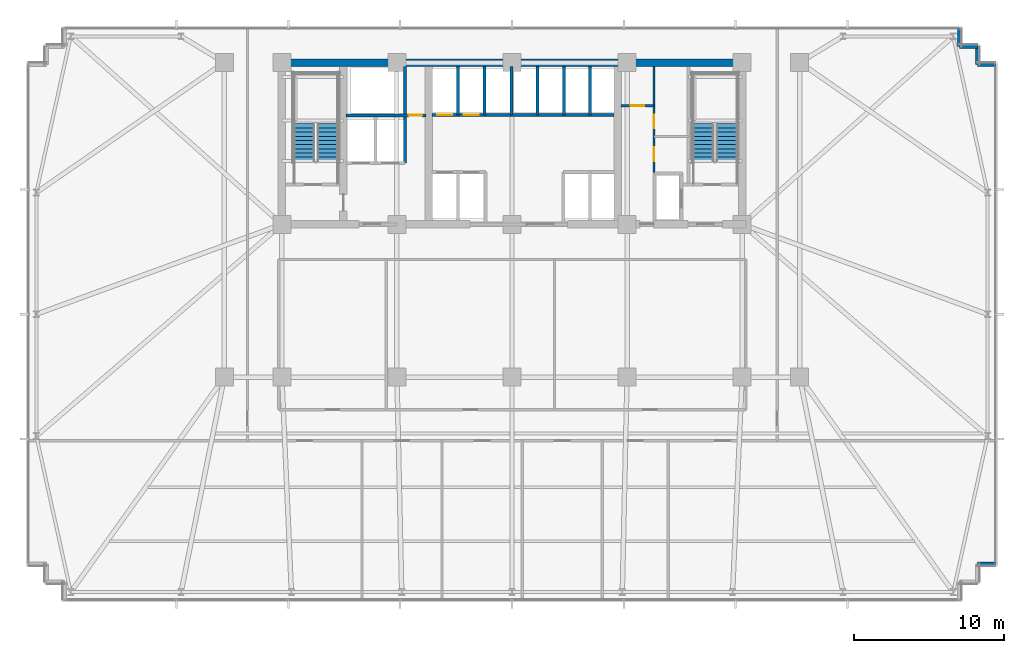
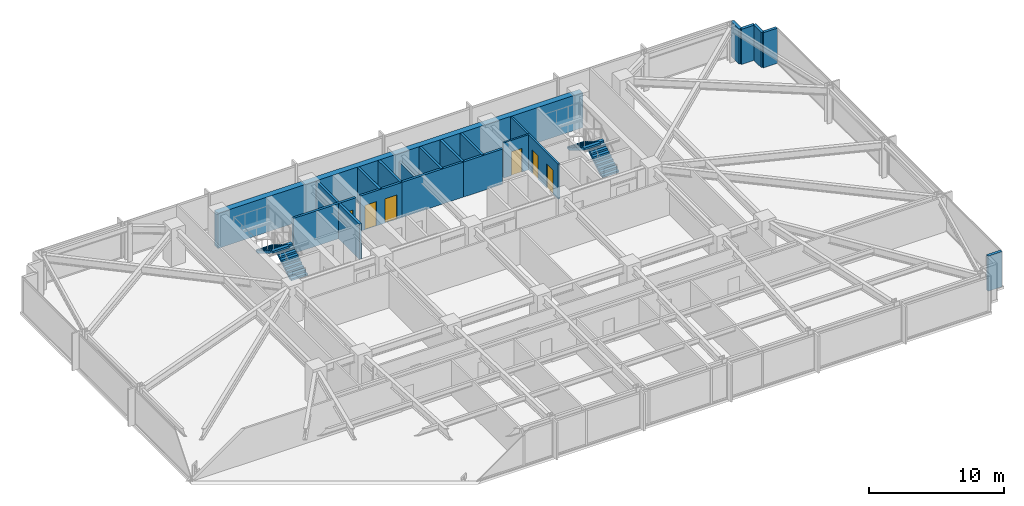
# One storey, part 26 of 32: 19 walls, 6 doors, 4 stair flights, 6 openings, 2 elements without a shape of their own.
"""IFC4 building model written with IfcOpenShell, lengths in metres."""

from ifc_helpers import new_model, si_unit, direction, frame, frame_2d, origin, place, context, subcontext, project, spatial, polyline, rectangle, outline, extrude, material, layer, layer_set, type_object, element, fill, aggregate, save


model = new_model("IFC4")

# Units and contexts
model_context = context("Model", 3, precision=1e-05, world=origin(), true_north=direction((0.0, 1.0)))
body_context = subcontext(model_context, "Body", "Model", "MODEL_VIEW")
ifc_project = project(units=[si_unit("LENGTHUNIT", "METRE"), si_unit("AREAUNIT", "SQUARE_METRE"), si_unit("VOLUMEUNIT", "CUBIC_METRE"), si_unit("PLANEANGLEUNIT", "RADIAN"), si_unit("MASSUNIT", "GRAM", prefix="KILO")], contexts=[model_context])

# Site, building, storey
site_placement = place(None, origin())
site = spatial("IfcSite", under=ifc_project, at=site_placement, CompositionType="ELEMENT")
building_placement = place(site_placement, origin())
building = spatial("IfcBuilding", under=site, at=building_placement, Name="Yelkora Congress Tower", CompositionType="ELEMENT")
storey_placement = place(building_placement, frame((0.0, 0.0, 44.0)))
storey = spatial("IfcBuildingStorey", under=building, at=storey_placement, Name="L10", CompositionType="ELEMENT", Elevation=44.0)

# Walls
ifc_material_1 = material(Name="Concrete C60/75", Category="concrete")
ifc_layer_1 = layer(ifc_material_1, 0.5)
ifc_layer_set_1 = layer_set([ifc_layer_1], Name="Concrete C60/75")
wall_type_1 = type_object("IfcWallType", Name="WALL-CORE-INT-500", PredefinedType="SHEAR", material=ifc_layer_set_1)
wall_1_placement = place(storey_placement, frame((22.7900390625, 46.199951171875, 0.0), z_axis=(0.0, 0.0, 1.0), x_axis=(1.0, 0.0, 0.0)))
element("IfcWall", 1, at=wall_1_placement, inside=storey, type_object=wall_type_1, Name="L10 Rear Core North Shear Wall", PredefinedType="SHEAR", context=body_context, shape_type="SweptSolid", body=[
    extrude(rectangle(XDim=31.219970703125, YDim=0.5, at=frame_2d((15.60986328125, 0.0))), origin(), (0.0, 0.0, 1.0), 3.179931640625),
])
ifc_material_2 = material(Name="Concrete C40/50", Category="concrete")
ifc_layer_2 = layer(ifc_material_2, 0.239990234375)
ifc_layer_set_2 = layer_set([ifc_layer_2], Name="Concrete C40/50")
wall_type_2 = type_object("IfcWallType", Name="WALL-EXT-LIMESTONE-240", PredefinedType="SOLIDWALL", material=ifc_layer_set_2)
for number, where, z_axis, x_axis, name in (
    (2, (68.260009765625, 48.4599609375, 0.0), (0.0, 0.0, 1.0), (0.0, -1.0, 0.0), "L10 Serrated Corner Limestone Pier 11"),
    (3, (68.260009765625, 47.260009765625, 0.0), (0.0, 0.0, 1.0), (1.0, 0.0, 0.0), "L10 Serrated Corner Limestone Pier 12"),
    (4, (69.4599609375, 47.260009765625, 0.0), (0.0, 0.0, 1.0), (0.0, -1.0, 0.0), "L10 Serrated Corner Limestone Pier 13"),
    (5, (69.4599609375, 46.06005859375, 0.0), (0.0, 0.0, 1.0), (1.0, 0.0, 0.0), "L10 Serrated Corner Limestone Pier 14"),
    (6, (70.659912109375, 12.739990234375, 0.0), (0.0, 0.0, 1.0), (-1.0, 0.0, 0.0), "L10 Serrated Corner Limestone Pier 16"),
):
    element("IfcWall", number, at=place(storey_placement, frame(where, z_axis=z_axis, x_axis=x_axis)), inside=storey, type_object=wall_type_2, Name=name, PredefinedType="SOLIDWALL", context=body_context, shape_type="SweptSolid", body=[
        extrude(rectangle(XDim=1.199951171875, YDim=0.239990234375, at=frame_2d((0.60009765625, 0.0))), origin(), (0.0, 0.0, 1.0), 3.179931640625),
    ])

# Wall, opening, door
ifc_material_3 = material(Name="Acoustic metal-stud gypsum partition", Category="gypsum")
ifc_layer_3 = layer(ifc_material_3, 0.14990234375)
ifc_layer_set_3 = layer_set([ifc_layer_3], Name="Acoustic metal-stud gypsum partition")
wall_type_3 = type_object("IfcWallType", Name="WALL-INT-150-NR", PredefinedType="PARTITIONING", material=ifc_layer_set_3)
wall_2_placement = place(storey_placement, frame((45.679931640625, 43.31005859375, 0.0), z_axis=(0.0, 0.0, 1.0), x_axis=(1.0, 0.0, 0.0)))
wall_2 = element("IfcWall", 7, at=wall_2_placement, inside=storey, type_object=wall_type_3, Name="L10 Partition Wall 28", PredefinedType="PARTITIONING", context=body_context, shape_type="SweptSolid", body=[
    extrude(rectangle(XDim=2.199951171875, YDim=0.14990234375, at=frame_2d((1.10009765625, 0.0))), origin(), (0.0, 0.0, 1.0), 3.179931640625),
])
opening_1_placement = place(wall_2_placement, frame((0.64990234375, 0.0, 0.0)))
opening_1 = element("IfcOpeningElement", 8, at=opening_1_placement, cuts=wall_2, Name="Opening DR-090N", PredefinedType="OPENING", context=body_context, shape_type="SweptSolid", body=[
    extrude(rectangle(XDim=0.89990234375, YDim=2.14990234375, at=frame_2d((0.449951171875, 1.074951171875))), frame((0.0, 0.0849609375, 0.0), z_axis=(0.0, -1.0, 0.0), x_axis=(1.0, 0.0, 0.0)), (0.0, 0.0, 1.0), 0.169921875),
])
ifc_material_4 = material(Name="Moisture-resistant laminate door leaf", Category="wood")
door_type_1 = type_object("IfcDoorType", Name="DOOR-INT-900", OperationType="NOTDEFINED", PredefinedType="DOOR", material=ifc_material_4)
door_1_placement = place(opening_1_placement, origin())
door_1 = element("IfcDoor", 9, at=door_1_placement, inside=storey, type_object=door_type_1, Name="L10 Male WC Door", OperationType="SINGLE_SWING_RIGHT", OverallHeight=2.14990234375, OverallWidth=0.89990234375, PredefinedType="DOOR", context=body_context, shape_type="SweptSolid", body=[
    extrude(rectangle(XDim=0.89990234375, YDim=2.14990234375, at=frame_2d((0.449951171875, 1.074951171875))), frame((0.0, 0.02490234375, 0.0), z_axis=(0.0, -1.0, 0.0), x_axis=(1.0, 0.0, 0.0)), (0.0, 0.0, 1.0), 0.050048828125),
])
fill(opening_1, door_1)

# Wall, openings, doors
wall_3_placement = place(storey_placement, frame((47.8798828125, 38.85009765625, 0.0), z_axis=(0.0, 0.0, 1.0), x_axis=(0.0, 1.0, 0.0)))
wall_3 = element("IfcWall", 10, at=wall_3_placement, inside=storey, type_object=wall_type_3, Name="L10 Partition Wall 30", PredefinedType="PARTITIONING", context=body_context, shape_type="SweptSolid", body=[
    extrude(rectangle(XDim=7.06982421875, YDim=0.14990234375, at=frame_2d((3.534912109375, 0.0))), origin(), (0.0, 0.0, 1.0), 3.179931640625),
])
opening_2_placement = place(wall_3_placement, frame((0.75, 0.0, 0.0)))
opening_2 = element("IfcOpeningElement", 11, at=opening_2_placement, cuts=wall_3, Name="Opening DR-095N", PredefinedType="OPENING", context=body_context, shape_type="SweptSolid", body=[
    extrude(rectangle(XDim=0.949951171875, YDim=2.14990234375, at=frame_2d((0.47509765625, 1.074951171875))), frame((0.0, 0.0849609375, 0.0), z_axis=(0.0, -1.0, 0.0), x_axis=(1.0, 0.0, 0.0)), (0.0, 0.0, 1.0), 0.169921875),
])
opening_3_placement = place(wall_3_placement, frame((2.949951171875, 0.0, 0.0)))
opening_3 = element("IfcOpeningElement", 12, at=opening_3_placement, cuts=wall_3, Name="Opening DR-090N", PredefinedType="OPENING", context=body_context, shape_type="SweptSolid", body=[
    extrude(rectangle(XDim=0.89990234375, YDim=2.14990234375, at=frame_2d((0.449951171875, 1.074951171875))), frame((0.0, 0.0849609375, 0.0), z_axis=(0.0, -1.0, 0.0), x_axis=(1.0, 0.0, 0.0)), (0.0, 0.0, 1.0), 0.169921875),
])
door_2_placement = place(opening_3_placement, origin())
door_2 = element("IfcDoor", 13, at=door_2_placement, inside=storey, type_object=door_type_1, Name="L10 Female WC Door", OperationType="SINGLE_SWING_RIGHT", OverallHeight=2.14990234375, OverallWidth=0.89990234375, PredefinedType="DOOR", context=body_context, shape_type="SweptSolid", body=[
    extrude(rectangle(XDim=0.89990234375, YDim=2.14990234375, at=frame_2d((0.449951171875, 1.074951171875))), frame((0.0, 0.02490234375, 0.0), z_axis=(0.0, -1.0, 0.0), x_axis=(1.0, 0.0, 0.0)), (0.0, 0.0, 1.0), 0.050048828125),
])
fill(opening_3, door_2)
ifc_material_5 = material(Name="Acoustic laminated timber office door", Category="wood")
door_type_2 = type_object("IfcDoorType", Name="DOOR-INT-950", OperationType="NOTDEFINED", PredefinedType="DOOR", material=ifc_material_5)
door_3_placement = place(opening_2_placement, origin())
door_3 = element("IfcDoor", 14, at=door_3_placement, inside=storey, type_object=door_type_2, Name="L10 Accessible WC Door", OperationType="SINGLE_SWING_LEFT", OverallHeight=2.14990234375, OverallWidth=0.949951171875, PredefinedType="DOOR", context=body_context, shape_type="SweptSolid", body=[
    extrude(rectangle(XDim=0.949951171875, YDim=2.14990234375, at=frame_2d((0.47509765625, 1.074951171875))), frame((0.0, 0.02490234375, 0.0), z_axis=(0.0, -1.0, 0.0), x_axis=(1.0, 0.0, 0.0)), (0.0, 0.0, 1.0), 0.050048828125),
])
fill(opening_2, door_3)

# Wall
ifc_material_6 = material(Name="Autoclaved aerated concrete blockwork", Category="masonry")
ifc_layer_4 = layer(ifc_material_6, 0.199951171875)
ifc_layer_set_4 = layer_set([ifc_layer_4], Name="Autoclaved aerated concrete blockwork")
wall_type_4 = type_object("IfcWallType", Name="WALL-INT-200-R120", PredefinedType="PARTITIONING", material=ifc_layer_set_4)
wall_4_placement = place(storey_placement, frame((31.260009765625, 39.47998046875, 0.0), z_axis=(0.0, 0.0, 1.0), x_axis=(0.0, 1.0, 0.0)))
element("IfcWall", 15, at=wall_4_placement, inside=storey, type_object=wall_type_4, Name="L10 Partition Wall 5", PredefinedType="PARTITIONING", context=body_context, shape_type="SweptSolid", body=[
    extrude(rectangle(XDim=6.43994140625, YDim=0.199951171875, at=frame_2d((3.219970703125, 0.0))), origin(), (0.0, 0.0, 1.0), 3.179931640625),
])

# Wall, opening, door
wall_5_placement = place(storey_placement, frame((27.320068359375, 42.679931640625, 0.0), z_axis=(0.0, 0.0, 1.0), x_axis=(1.0, 0.0, 0.0)))
wall_5 = element("IfcWall", 16, at=wall_5_placement, inside=storey, type_object=wall_type_4, Name="L10 Smoke Riser South Wall", PredefinedType="PARTITIONING", context=body_context, shape_type="SweptSolid", body=[
    extrude(rectangle(XDim=5.329833984375, YDim=0.199951171875, at=frame_2d((2.6650390625, 0.0))), origin(), (0.0, 0.0, 1.0), 3.179931640625),
])
opening_4_placement = place(wall_5_placement, frame((4.179931640625, 0.0, 0.0)))
opening_4 = element("IfcOpeningElement", 17, at=opening_4_placement, cuts=wall_5, Name="Opening DR-090F6", PredefinedType="OPENING", context=body_context, shape_type="SweptSolid", body=[
    extrude(rectangle(XDim=0.89990234375, YDim=2.14990234375, at=frame_2d((0.449951171875, 1.074951171875))), frame((0.0, 0.10986328125, 0.0), z_axis=(0.0, -1.0, 0.0), x_axis=(1.0, 0.0, 0.0)), (0.0, 0.0, 1.0), 0.219970703125),
])
ifc_material_7 = material(Name="Painted steel riser fire door leaf", Category="steel")
door_type_3 = type_object("IfcDoorType", Name="DOOR-FD60-900", OperationType="NOTDEFINED", PredefinedType="DOOR", material=ifc_material_7)
door_4_placement = place(opening_4_placement, origin())
door_4 = element("IfcDoor", 18, at=door_4_placement, inside=storey, type_object=door_type_3, Name="L10 Riser Access Door", OperationType="SINGLE_SWING_LEFT", OverallHeight=2.14990234375, OverallWidth=0.89990234375, PredefinedType="DOOR", context=body_context, shape_type="SweptSolid", body=[
    extrude(rectangle(XDim=0.89990234375, YDim=2.14990234375, at=frame_2d((0.449951171875, 1.074951171875))), frame((0.0, 0.02490234375, 0.0), z_axis=(0.0, -1.0, 0.0), x_axis=(1.0, 0.0, 0.0)), (0.0, 0.0, 1.0), 0.050048828125),
])
fill(opening_4, door_4)

# Walls
wall_6_placement = place(storey_placement, frame((36.60009765625, 42.699951171875, 0.0), z_axis=(0.0, 0.0, 1.0), x_axis=(1.0, 0.0, 0.0)))
element("IfcWall", 19, at=wall_6_placement, inside=storey, type_object=wall_type_4, Name="L10 Partition Wall 8", PredefinedType="PARTITIONING", context=body_context, shape_type="SweptSolid", body=[
    extrude(rectangle(XDim=5.25, YDim=0.199951171875, at=frame_2d((2.625, 0.0))), origin(), (0.0, 0.0, 1.0), 3.179931640625),
])
wall_7_placement = place(storey_placement, frame((38.35009765625, 42.699951171875, 0.0), z_axis=(0.0, 0.0, 1.0), x_axis=(0.0, 1.0, 0.0)))
element("IfcWall", 20, at=wall_7_placement, inside=storey, type_object=wall_type_4, Name="L10 Partition Wall 9", PredefinedType="PARTITIONING", context=body_context, shape_type="SweptSolid", body=[
    extrude(rectangle(XDim=3.219970703125, YDim=0.199951171875, at=frame_2d((1.60986328125, 0.0))), origin(), (0.0, 0.0, 1.0), 2.47509765625),
])
wall_8_placement = place(storey_placement, frame((40.10009765625, 42.699951171875, 0.0), z_axis=(0.0, 0.0, 1.0), x_axis=(0.0, 1.0, 0.0)))
element("IfcWall", 21, at=wall_8_placement, inside=storey, type_object=wall_type_4, Name="L10 Partition Wall 10", PredefinedType="PARTITIONING", context=body_context, shape_type="SweptSolid", body=[
    extrude(rectangle(XDim=3.219970703125, YDim=0.199951171875, at=frame_2d((1.60986328125, 0.0))), origin(), (0.0, 0.0, 1.0), 3.179931640625),
])

# Wall, openings, doors
wall_9_placement = place(storey_placement, frame((33.050048828125, 42.699951171875, 0.0), z_axis=(0.0, 0.0, 1.0), x_axis=(1.0, 0.0, 0.0)))
wall_9 = element("IfcWall", 22, at=wall_9_placement, inside=storey, type_object=wall_type_4, Name="L10 Partition Wall 12", PredefinedType="PARTITIONING", context=body_context, shape_type="SweptSolid", body=[
    extrude(rectangle(XDim=3.570068359375, YDim=0.199951171875, at=frame_2d((1.78515625, 0.0))), origin(), (0.0, 0.0, 1.0), 3.179931640625),
])
opening_5_placement = place(wall_9_placement, frame((0.375, 0.0, 0.0)))
opening_5 = element("IfcOpeningElement", 23, at=opening_5_placement, cuts=wall_9, Name="Opening LD-PS10", PredefinedType="OPENING", context=body_context, shape_type="SweptSolid", body=[
    extrude(rectangle(XDim=1.0, YDim=2.199951171875, at=frame_2d((0.5, 1.10009765625))), frame((0.0, 0.10986328125, 0.0), z_axis=(0.0, -1.0, 0.0), x_axis=(1.0, 0.0, 0.0)), (0.0, 0.0, 1.0), 0.219970703125),
])
opening_6_placement = place(wall_9_placement, frame((2.125, 0.0, 0.0)))
opening_6 = element("IfcOpeningElement", 24, at=opening_6_placement, cuts=wall_9, Name="Opening LD-PS10", PredefinedType="OPENING", context=body_context, shape_type="SweptSolid", body=[
    extrude(rectangle(XDim=1.0, YDim=2.199951171875, at=frame_2d((0.5, 1.10009765625))), frame((0.0, 0.10986328125, 0.0), z_axis=(0.0, -1.0, 0.0), x_axis=(1.0, 0.0, 0.0)), (0.0, 0.0, 1.0), 0.219970703125),
])
ifc_material_8 = material(Name="Champagne stainless steel landing door", Category="steel")
door_type_4 = type_object("IfcDoorType", Name="DOOR-LIFT-PAS-1000", OperationType="DOUBLE_DOOR_SLIDING", PredefinedType="DOOR", material=ifc_material_8)
door_5_placement = place(opening_5_placement, origin())
door_5 = element("IfcDoor", 25, at=door_5_placement, inside=storey, type_object=door_type_4, Name="Lift Landing Door LF-P3 L10", OperationType="DOUBLE_DOOR_SLIDING", OverallHeight=2.199951171875, OverallWidth=1.0, PredefinedType="DOOR", context=body_context, shape_type="SweptSolid", body=[
    extrude(rectangle(XDim=1.0, YDim=2.199951171875, at=frame_2d((0.5, 1.10009765625))), frame((0.0, 0.02490234375, 0.0), z_axis=(0.0, -1.0, 0.0), x_axis=(1.0, 0.0, 0.0)), (0.0, 0.0, 1.0), 0.050048828125),
])
fill(opening_5, door_5)
door_6_placement = place(opening_6_placement, origin())
door_6 = element("IfcDoor", 26, at=door_6_placement, inside=storey, type_object=door_type_4, Name="Lift Landing Door LF-P4 L10", OperationType="DOUBLE_DOOR_SLIDING", OverallHeight=2.199951171875, OverallWidth=1.0, PredefinedType="DOOR", context=body_context, shape_type="SweptSolid", body=[
    extrude(rectangle(XDim=1.0, YDim=2.199951171875, at=frame_2d((0.5, 1.10009765625))), frame((0.0, 0.02490234375, 0.0), z_axis=(0.0, -1.0, 0.0), x_axis=(1.0, 0.0, 0.0)), (0.0, 0.0, 1.0), 0.050048828125),
])
fill(opening_6, door_6)

# Walls
for number, where, z_axis, x_axis, name in (
    (27, (34.800048828125, 42.699951171875, 0.0), (0.0, 0.0, 1.0), (0.0, 1.0, 0.0), "L10 Partition Wall 14"),
    (28, (36.580078125, 42.699951171875, 0.0), (0.0, 0.0, 1.0), (0.0, 1.0, 0.0), "L10 Partition Wall 16"),
):
    element("IfcWall", number, at=place(storey_placement, frame(where, z_axis=z_axis, x_axis=x_axis)), inside=storey, type_object=wall_type_4, Name=name, PredefinedType="PARTITIONING", context=body_context, shape_type="SweptSolid", body=[
        extrude(rectangle(XDim=3.219970703125, YDim=0.199951171875, at=frame_2d((1.60986328125, 0.0))), origin(), (0.0, 0.0, 1.0), 3.179931640625),
    ])
wall_10_placement = place(storey_placement, frame((41.85009765625, 42.699951171875, 0.0), z_axis=(0.0, 0.0, 1.0), x_axis=(1.0, 0.0, 0.0)))
element("IfcWall", 29, at=wall_10_placement, inside=storey, type_object=wall_type_4, Name="L10 Partition Wall 18", PredefinedType="PARTITIONING", context=body_context, shape_type="SweptSolid", body=[
    extrude(rectangle(XDim=3.369873046875, YDim=0.199951171875, at=frame_2d((1.68505859375, 0.0))), origin(), (0.0, 0.0, 1.0), 3.179931640625),
])
for number, where, z_axis, x_axis, name in (
    (30, (43.60009765625, 42.699951171875, 0.0), (0.0, 0.0, 1.0), (0.0, 1.0, 0.0), "L10 Partition Wall 20"),
    (31, (41.8798828125, 42.699951171875, 0.0), (0.0, 0.0, 1.0), (0.0, 1.0, 0.0), "L10 Partition Wall 22"),
):
    element("IfcWall", number, at=place(storey_placement, frame(where, z_axis=z_axis, x_axis=x_axis)), inside=storey, type_object=wall_type_4, Name=name, PredefinedType="PARTITIONING", context=body_context, shape_type="SweptSolid", body=[
        extrude(rectangle(XDim=3.219970703125, YDim=0.199951171875, at=frame_2d((1.60986328125, 0.0))), origin(), (0.0, 0.0, 1.0), 3.179931640625),
    ])

# Stair, stair flights
stair_type = type_object("IfcStairType", Name="STAIR-HT-1420-R20-170", PredefinedType="HALF_TURN_STAIR", material=ifc_material_2)
stair_1_placement = place(storey_placement, origin())
stair_1 = element("IfcStair", 32, at=stair_1_placement, inside=storey, type_object=stair_type, Name="West Core Protected Exit Stair ST-01 (L10)", PredefinedType="HALF_TURN_STAIR")
stair_flight_type = type_object("IfcStairFlightType", Name="FLIGHT-1420-N10-R170-G280", PredefinedType="STRAIGHT", material=ifc_material_2)
stair_flight_1_placement = place(storey_placement, frame((26.110107421875, 39.60009765625, 0.0), z_axis=(0.0, 0.0, 1.0), x_axis=(0.0, 1.0, 0.0)))
stair_flight_1 = element("IfcStairFlight", 33, at=stair_flight_1_placement, type_object=stair_flight_type, Name="ST-01 L10 Flight 1", NumberOfRisers=10, NumberOfTreads=9, PredefinedType="STRAIGHT", RiserHeight=0.17, TreadLength=0.28, context=body_context, shape_type="SweptSolid", body=[
    extrude(outline(polyline([(0.0, 0.0), (0.0, 0.169921875), (0.280029296875, 0.169921875), (0.280029296875, 0.340087890625), (0.56005859375, 0.340087890625), (0.56005859375, 0.510009765625), (0.840087890625, 0.510009765625), (0.840087890625, 0.679931640625), (1.1201171875, 0.679931640625), (1.1201171875, 0.85009765625), (1.39990234375, 0.85009765625), (1.39990234375, 1.02001953125), (1.679931640625, 1.02001953125), (1.679931640625, 1.18994140625), (1.9599609375, 1.18994140625), (1.9599609375, 1.360107421875), (2.239990234375, 1.360107421875), (2.239990234375, 1.530029296875), (2.52001953125, 1.530029296875), (2.52001953125, 1.699951171875), (2.52001953125, 1.343017578125), (0.30810546875, 0.0), (0.0, 0.0)])), frame((0.0, 0.7099609375, 0.0), z_axis=(0.0, -1.0, 0.0), x_axis=(1.0, 0.0, 0.0)), (0.0, 0.0, 1.0), 1.419921875),
])
stair_flight_2_placement = place(storey_placement, frame((24.530029296875, 42.1201171875, 1.699951171875), z_axis=(0.0, 0.0, 1.0), x_axis=(0.0, -1.0, 0.0)))
stair_flight_2 = element("IfcStairFlight", 34, at=stair_flight_2_placement, type_object=stair_flight_type, Name="ST-01 L10 Flight 2", NumberOfRisers=10, NumberOfTreads=9, PredefinedType="STRAIGHT", RiserHeight=0.17, TreadLength=0.28, context=body_context, shape_type="SweptSolid", body=[
    extrude(outline(polyline([(0.0, 0.0), (0.0, 0.169921875), (0.280029296875, 0.169921875), (0.280029296875, 0.340087890625), (0.56005859375, 0.340087890625), (0.56005859375, 0.510009765625), (0.840087890625, 0.510009765625), (0.840087890625, 0.679931640625), (1.1201171875, 0.679931640625), (1.1201171875, 0.85009765625), (1.39990234375, 0.85009765625), (1.39990234375, 1.02001953125), (1.679931640625, 1.02001953125), (1.679931640625, 1.18994140625), (1.9599609375, 1.18994140625), (1.9599609375, 1.360107421875), (2.239990234375, 1.360107421875), (2.239990234375, 1.530029296875), (2.52001953125, 1.530029296875), (2.52001953125, 1.699951171875), (2.52001953125, 1.343017578125), (0.30810546875, 0.0), (0.0, 0.0)])), frame((0.0, 0.7099609375, 0.0), z_axis=(0.0, -1.0, 0.0), x_axis=(1.0, 0.0, 0.0)), (0.0, 0.0, 1.0), 1.419921875),
])
aggregate(stair_1, [stair_flight_1, stair_flight_2])

stair_2_placement = place(storey_placement, origin())
stair_2 = element("IfcStair", 35, at=stair_2_placement, inside=storey, type_object=stair_type, Name="East Core Protected Exit Stair ST-02 (L10)", PredefinedType="HALF_TURN_STAIR")
stair_flight_3_placement = place(storey_placement, frame((52.75, 39.60009765625, 0.0), z_axis=(0.0, 0.0, 1.0), x_axis=(0.0, 1.0, 0.0)))
stair_flight_3 = element("IfcStairFlight", 36, at=stair_flight_3_placement, type_object=stair_flight_type, Name="ST-02 L10 Flight 1", NumberOfRisers=10, NumberOfTreads=9, PredefinedType="STRAIGHT", RiserHeight=0.17, TreadLength=0.28, context=body_context, shape_type="SweptSolid", body=[
    extrude(outline(polyline([(0.0, 0.0), (0.0, 0.169921875), (0.280029296875, 0.169921875), (0.280029296875, 0.340087890625), (0.56005859375, 0.340087890625), (0.56005859375, 0.510009765625), (0.840087890625, 0.510009765625), (0.840087890625, 0.679931640625), (1.1201171875, 0.679931640625), (1.1201171875, 0.85009765625), (1.39990234375, 0.85009765625), (1.39990234375, 1.02001953125), (1.679931640625, 1.02001953125), (1.679931640625, 1.18994140625), (1.9599609375, 1.18994140625), (1.9599609375, 1.360107421875), (2.239990234375, 1.360107421875), (2.239990234375, 1.530029296875), (2.52001953125, 1.530029296875), (2.52001953125, 1.699951171875), (2.52001953125, 1.343017578125), (0.30810546875, 0.0), (0.0, 0.0)])), frame((0.0, 0.7099609375, 0.0), z_axis=(0.0, -1.0, 0.0), x_axis=(1.0, 0.0, 0.0)), (0.0, 0.0, 1.0), 1.419921875),
])
stair_flight_4_placement = place(storey_placement, frame((51.169921875, 42.1201171875, 1.699951171875), z_axis=(0.0, 0.0, 1.0), x_axis=(0.0, -1.0, 0.0)))
stair_flight_4 = element("IfcStairFlight", 37, at=stair_flight_4_placement, type_object=stair_flight_type, Name="ST-02 L10 Flight 2", NumberOfRisers=10, NumberOfTreads=9, PredefinedType="STRAIGHT", RiserHeight=0.17, TreadLength=0.28, context=body_context, shape_type="SweptSolid", body=[
    extrude(outline(polyline([(0.0, 0.0), (0.0, 0.169921875), (0.280029296875, 0.169921875), (0.280029296875, 0.340087890625), (0.56005859375, 0.340087890625), (0.56005859375, 0.510009765625), (0.840087890625, 0.510009765625), (0.840087890625, 0.679931640625), (1.1201171875, 0.679931640625), (1.1201171875, 0.85009765625), (1.39990234375, 0.85009765625), (1.39990234375, 1.02001953125), (1.679931640625, 1.02001953125), (1.679931640625, 1.18994140625), (1.9599609375, 1.18994140625), (1.9599609375, 1.360107421875), (2.239990234375, 1.360107421875), (2.239990234375, 1.530029296875), (2.52001953125, 1.530029296875), (2.52001953125, 1.699951171875), (2.52001953125, 1.343017578125), (0.30810546875, 0.0), (0.0, 0.0)])), frame((0.0, 0.7099609375, 0.0), z_axis=(0.0, -1.0, 0.0), x_axis=(1.0, 0.0, 0.0)), (0.0, 0.0, 1.0), 1.419921875),
])
aggregate(stair_2, [stair_flight_3, stair_flight_4])

save(model, "model.ifc")
